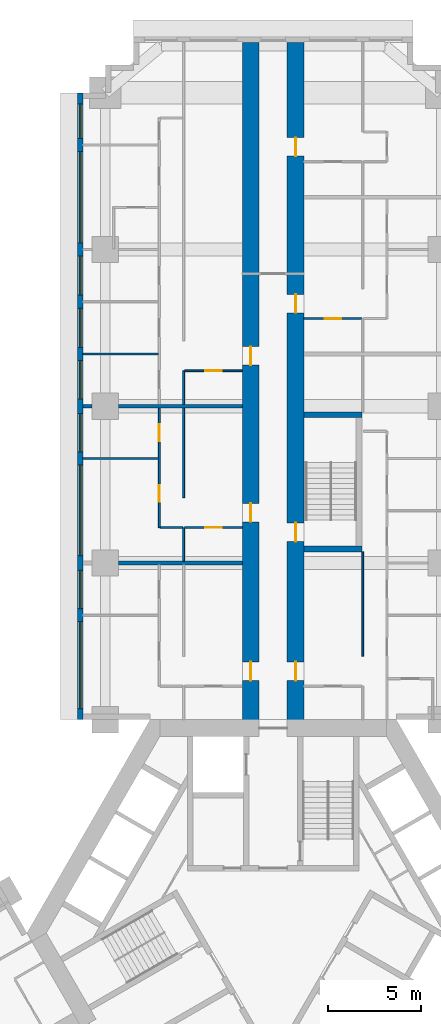
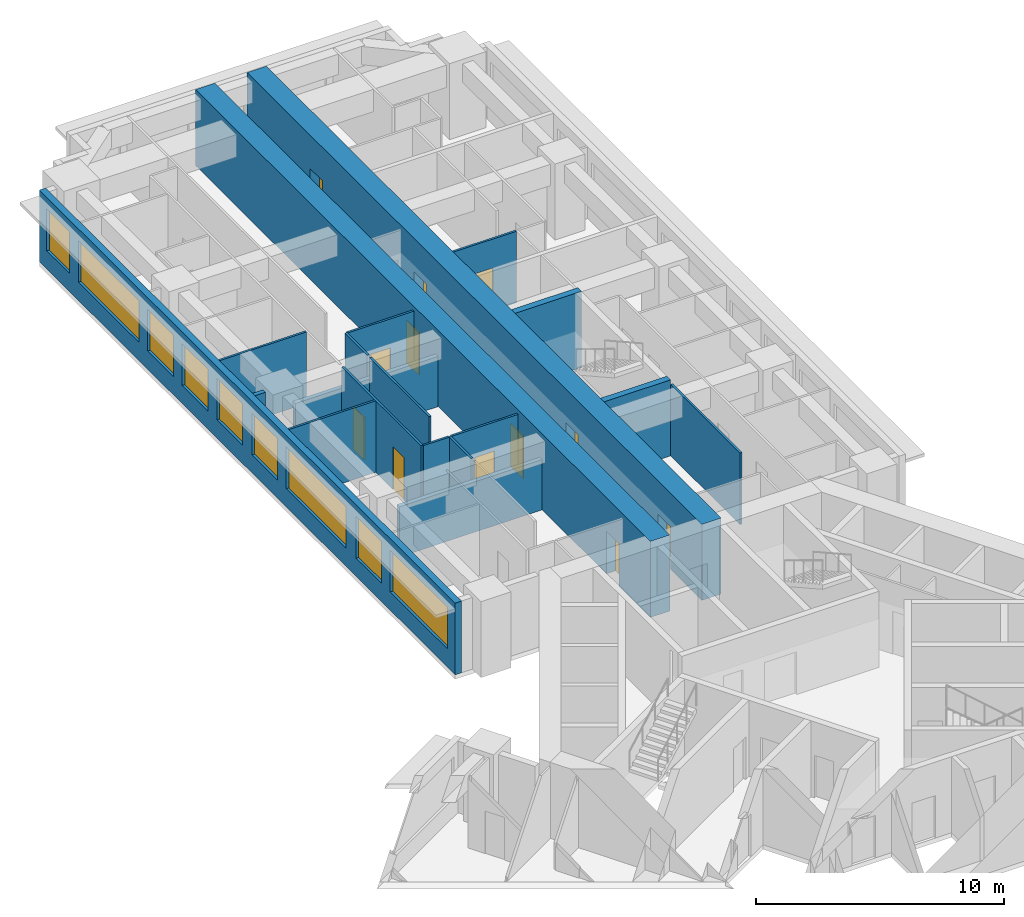
# One storey, part 9 of 15: 19 walls, 12 doors, 9 windows, 21 openings.
"""IFC4 building model written with IfcOpenShell, lengths in metres."""

from ifc_helpers import new_model, si_unit, direction, frame, frame_2d, origin, place, context, subcontext, project, spatial, rectangle, extrude, material, layer, layer_set, type_object, element, fill, save


model = new_model("IFC4")

# Units and contexts
model_context = context("Model", 3, precision=1e-05, world=origin(), true_north=direction((0.0, 1.0)))
body_context = subcontext(model_context, "Body", "Model", "MODEL_VIEW")
ifc_project = project(units=[si_unit("LENGTHUNIT", "METRE"), si_unit("AREAUNIT", "SQUARE_METRE"), si_unit("VOLUMEUNIT", "CUBIC_METRE"), si_unit("PLANEANGLEUNIT", "RADIAN"), si_unit("MASSUNIT", "GRAM", prefix="KILO")], contexts=[model_context])

# Site, building, storey
site_placement = place(None, origin())
site = spatial("IfcSite", under=ifc_project, at=site_placement, CompositionType="ELEMENT")
building_placement = place(site_placement, origin())
building = spatial("IfcBuilding", under=site, at=building_placement, Name="Impinga Residences", CompositionType="ELEMENT")
storey_placement = place(building_placement, frame((0.0, 0.0, 86.0)))
storey = spatial("IfcBuildingStorey", under=building, at=storey_placement, Name="L21", CompositionType="ELEMENT", Elevation=86.0)

# Wall, openings, doors
ifc_material_1 = material(Name="Concrete C70/85", Category="concrete")
ifc_layer_1 = layer(ifc_material_1, 0.89990234375)
ifc_layer_set_1 = layer_set([ifc_layer_1], Name="Concrete C70/85")
wall_type_1 = type_object("IfcWallType", Name="BW1 corridor buttress wall, L05 to L22 900", PredefinedType="SHEAR", material=ifc_layer_set_1)
wall_1_placement = place(storey_placement, frame((-1.199951171875, 10.9814453125, 0.0), z_axis=(0.0, 0.0, 1.0), x_axis=(0.0, 1.0, 0.0)))
wall_1 = element("IfcWall", 1, at=wall_1_placement, inside=storey, type_object=wall_type_1, Name="Corridor wall BW1 NC L21", PredefinedType="SHEAR", context=body_context, shape_type="SweptSolid", body=[
    extrude(rectangle(XDim=36.75, YDim=0.89990234375, at=frame_2d((18.375, 0.0))), origin(), (0.0, 0.0, 1.0), 3.75),
])
opening_1_placement = place(wall_1_placement, frame((2.550048828125, 0.0, 0.0)))
opening_1 = element("IfcOpeningElement", 2, at=opening_1_placement, cuts=wall_1, Name="Opening D1", PredefinedType="OPENING", context=body_context, shape_type="SweptSolid", body=[
    extrude(rectangle(XDim=1.0, YDim=2.10009765625, at=frame_2d((0.5, 1.050048828125))), frame((0.0, 0.4599609375, 0.0), z_axis=(0.0, -1.0, 0.0), x_axis=(1.0, 0.0, 0.0)), (0.0, 0.0, 1.0), 0.919921875),
])
opening_2_placement = place(wall_1_placement, frame((11.050048828125, 0.0, 0.0)))
opening_2 = element("IfcOpeningElement", 3, at=opening_2_placement, cuts=wall_1, Name="Opening D1", PredefinedType="OPENING", context=body_context, shape_type="SweptSolid", body=[
    extrude(rectangle(XDim=1.0, YDim=2.10009765625, at=frame_2d((0.5, 1.050048828125))), frame((0.0, 0.4599609375, 0.0), z_axis=(0.0, -1.0, 0.0), x_axis=(1.0, 0.0, 0.0)), (0.0, 0.0, 1.0), 0.919921875),
])
opening_3_placement = place(wall_1_placement, frame((19.449951171875, 0.0, 0.0)))
opening_3 = element("IfcOpeningElement", 4, at=opening_3_placement, cuts=wall_1, Name="Opening D1", PredefinedType="OPENING", context=body_context, shape_type="SweptSolid", body=[
    extrude(rectangle(XDim=1.0, YDim=2.10009765625, at=frame_2d((0.5, 1.050048828125))), frame((0.0, 0.4599609375, 0.0), z_axis=(0.0, -1.0, 0.0), x_axis=(1.0, 0.0, 0.0)), (0.0, 0.0, 1.0), 0.919921875),
])
ifc_material_2 = material(Name="Timber door set", Category="wood")
door_type_1 = type_object("IfcDoorType", Name="D1 apartment entrance door 1000x2100", OperationType="SINGLE_SWING_LEFT", PredefinedType="DOOR", material=ifc_material_2)
door_1_placement = place(opening_1_placement, origin())
door_1 = element("IfcDoor", 5, at=door_1_placement, inside=storey, type_object=door_type_1, Name="Apartment L21-NA1 entrance", OperationType="SINGLE_SWING_LEFT", OverallHeight=2.10009765625, OverallWidth=1.0, PredefinedType="DOOR", context=body_context, shape_type="SweptSolid", body=[
    extrude(rectangle(XDim=1.0, YDim=2.10009765625, at=frame_2d((0.5, 1.050048828125))), frame((0.0, 0.02490234375, 0.0), z_axis=(0.0, -1.0, 0.0), x_axis=(1.0, 0.0, 0.0)), (0.0, 0.0, 1.0), 0.050048828125),
])
fill(opening_1, door_1)
door_2_placement = place(opening_2_placement, origin())
door_2 = element("IfcDoor", 6, at=door_2_placement, inside=storey, type_object=door_type_1, Name="Apartment L21-NA2 entrance", OperationType="SINGLE_SWING_LEFT", OverallHeight=2.10009765625, OverallWidth=1.0, PredefinedType="DOOR", context=body_context, shape_type="SweptSolid", body=[
    extrude(rectangle(XDim=1.0, YDim=2.10009765625, at=frame_2d((0.5, 1.050048828125))), frame((0.0, 0.02490234375, 0.0), z_axis=(0.0, -1.0, 0.0), x_axis=(1.0, 0.0, 0.0)), (0.0, 0.0, 1.0), 0.050048828125),
])
fill(opening_2, door_2)
door_3_placement = place(opening_3_placement, origin())
door_3 = element("IfcDoor", 7, at=door_3_placement, inside=storey, type_object=door_type_1, Name="Apartment L21-NA3 entrance", OperationType="SINGLE_SWING_RIGHT", OverallHeight=2.10009765625, OverallWidth=1.0, PredefinedType="DOOR", context=body_context, shape_type="SweptSolid", body=[
    extrude(rectangle(XDim=1.0, YDim=2.10009765625, at=frame_2d((0.5, 1.050048828125))), frame((0.0, 0.02490234375, 0.0), z_axis=(0.0, -1.0, 0.0), x_axis=(1.0, 0.0, 0.0)), (0.0, 0.0, 1.0), 0.050048828125),
])
fill(opening_3, door_3)

wall_2_placement = place(storey_placement, frame((1.199951171875, 10.9814453125, 0.0), z_axis=(0.0, 0.0, 1.0), x_axis=(0.0, 1.0, 0.0)))
wall_2 = element("IfcWall", 8, at=wall_2_placement, inside=storey, type_object=wall_type_1, Name="Corridor wall BW1 ND L21", PredefinedType="SHEAR", context=body_context, shape_type="SweptSolid", body=[
    extrude(rectangle(XDim=36.75, YDim=0.89990234375, at=frame_2d((18.375, 0.0))), origin(), (0.0, 0.0, 1.0), 3.75),
])
opening_4_placement = place(wall_2_placement, frame((10.0, 0.0, 0.0)))
opening_4 = element("IfcOpeningElement", 9, at=opening_4_placement, cuts=wall_2, Name="Opening D5", PredefinedType="OPENING", context=body_context, shape_type="SweptSolid", body=[
    extrude(rectangle(XDim=1.0, YDim=2.10009765625, at=frame_2d((0.5, 1.050048828125))), frame((0.0, 0.4599609375, 0.0), z_axis=(0.0, -1.0, 0.0), x_axis=(1.0, 0.0, 0.0)), (0.0, 0.0, 1.0), 0.919921875),
])
opening_5_placement = place(wall_2_placement, frame((2.550048828125, 0.0, 0.0)))
opening_5 = element("IfcOpeningElement", 10, at=opening_5_placement, cuts=wall_2, Name="Opening D1", PredefinedType="OPENING", context=body_context, shape_type="SweptSolid", body=[
    extrude(rectangle(XDim=1.0, YDim=2.10009765625, at=frame_2d((0.5, 1.050048828125))), frame((0.0, 0.4599609375, 0.0), z_axis=(0.0, -1.0, 0.0), x_axis=(1.0, 0.0, 0.0)), (0.0, 0.0, 1.0), 0.919921875),
])
opening_6_placement = place(wall_2_placement, frame((22.25, 0.0, 0.0)))
opening_6 = element("IfcOpeningElement", 11, at=opening_6_placement, cuts=wall_2, Name="Opening D1", PredefinedType="OPENING", context=body_context, shape_type="SweptSolid", body=[
    extrude(rectangle(XDim=1.0, YDim=2.10009765625, at=frame_2d((0.5, 1.050048828125))), frame((0.0, 0.4599609375, 0.0), z_axis=(0.0, -1.0, 0.0), x_axis=(1.0, 0.0, 0.0)), (0.0, 0.0, 1.0), 0.919921875),
])
opening_7_placement = place(wall_2_placement, frame((30.64990234375, 0.0, 0.0)))
opening_7 = element("IfcOpeningElement", 12, at=opening_7_placement, cuts=wall_2, Name="Opening D1", PredefinedType="OPENING", context=body_context, shape_type="SweptSolid", body=[
    extrude(rectangle(XDim=1.0, YDim=2.10009765625, at=frame_2d((0.5, 1.050048828125))), frame((0.0, 0.4599609375, 0.0), z_axis=(0.0, -1.0, 0.0), x_axis=(1.0, 0.0, 0.0)), (0.0, 0.0, 1.0), 0.919921875),
])
door_4_placement = place(opening_5_placement, origin())
door_4 = element("IfcDoor", 13, at=door_4_placement, inside=storey, type_object=door_type_1, Name="Apartment L21-NF1 entrance", OperationType="SINGLE_SWING_LEFT", OverallHeight=2.10009765625, OverallWidth=1.0, PredefinedType="DOOR", context=body_context, shape_type="SweptSolid", body=[
    extrude(rectangle(XDim=1.0, YDim=2.10009765625, at=frame_2d((0.5, 1.050048828125))), frame((0.0, 0.02490234375, 0.0), z_axis=(0.0, -1.0, 0.0), x_axis=(1.0, 0.0, 0.0)), (0.0, 0.0, 1.0), 0.050048828125),
])
fill(opening_5, door_4)
door_5_placement = place(opening_6_placement, origin())
door_5 = element("IfcDoor", 14, at=door_5_placement, inside=storey, type_object=door_type_1, Name="Apartment L21-NF2 entrance", OperationType="SINGLE_SWING_RIGHT", OverallHeight=2.10009765625, OverallWidth=1.0, PredefinedType="DOOR", context=body_context, shape_type="SweptSolid", body=[
    extrude(rectangle(XDim=1.0, YDim=2.10009765625, at=frame_2d((0.5, 1.050048828125))), frame((0.0, 0.02490234375, 0.0), z_axis=(0.0, -1.0, 0.0), x_axis=(1.0, 0.0, 0.0)), (0.0, 0.0, 1.0), 0.050048828125),
])
fill(opening_6, door_5)
door_6_placement = place(opening_7_placement, origin())
door_6 = element("IfcDoor", 15, at=door_6_placement, inside=storey, type_object=door_type_1, Name="Apartment L21-NF3 entrance", OperationType="SINGLE_SWING_RIGHT", OverallHeight=2.10009765625, OverallWidth=1.0, PredefinedType="DOOR", context=body_context, shape_type="SweptSolid", body=[
    extrude(rectangle(XDim=1.0, YDim=2.10009765625, at=frame_2d((0.5, 1.050048828125))), frame((0.0, 0.02490234375, 0.0), z_axis=(0.0, -1.0, 0.0), x_axis=(1.0, 0.0, 0.0)), (0.0, 0.0, 1.0), 0.050048828125),
])
fill(opening_7, door_6)
door_type_2 = type_object("IfcDoorType", Name="D5 stair door 1000x2100", OperationType="SINGLE_SWING_LEFT", PredefinedType="DOOR", material=ifc_material_2)
door_7_placement = place(opening_4_placement, origin())
door_7 = element("IfcDoor", 16, at=door_7_placement, inside=storey, type_object=door_type_2, Name="Wing stair door N", OperationType="SINGLE_SWING_LEFT", OverallHeight=2.10009765625, OverallWidth=1.0, PredefinedType="DOOR", context=body_context, shape_type="SweptSolid", body=[
    extrude(rectangle(XDim=1.0, YDim=2.10009765625, at=frame_2d((0.5, 1.050048828125))), frame((0.0, 0.02490234375, 0.0), z_axis=(0.0, -1.0, 0.0), x_axis=(1.0, 0.0, 0.0)), (0.0, 0.0, 1.0), 0.050048828125),
])
fill(opening_4, door_7)

# Wall, openings, windows
ifc_material_3 = material(Name="Terracotta rainscreen on blockwork", Category="masonry")
ifc_layer_2 = layer(ifc_material_3, 0.300048828125)
ifc_layer_set_2 = layer_set([ifc_layer_2], Name="EW1 external wall, terracotta rainscreen on blockwork 300")
wall_type_2 = type_object("IfcWallType", Name="EW1 external wall, terracotta rainscreen on blockwork 300", PredefinedType="SOLIDWALL", material=ifc_layer_set_2)
wall_3_placement = place(storey_placement, frame((-10.35009765625, 11.431640625, 0.0), z_axis=(0.0, 0.0, 1.0), x_axis=(0.0, 1.0, 0.0)))
wall_3 = element("IfcWall", 17, at=wall_3_placement, inside=storey, type_object=wall_type_2, Name="External wall EW1 L21", PredefinedType="SOLIDWALL", context=body_context, shape_type="SweptSolid", body=[
    extrude(rectangle(XDim=33.599853515625, YDim=0.300048828125, at=frame_2d((16.7998046875, 0.0))), origin(), (0.0, 0.0, 1.0), 3.530029296875),
])
opening_8_placement = place(wall_3_placement, frame((0.60009765625, 0.0, 0.89990234375)))
opening_8 = element("IfcOpeningElement", 18, at=opening_8_placement, cuts=wall_3, Name="Opening W10", PredefinedType="OPENING", context=body_context, shape_type="SweptSolid", body=[
    extrude(rectangle(XDim=4.64990234375, YDim=2.050048828125, at=frame_2d((2.324951171875, 1.02490234375))), frame((0.0, 0.159912109375, 0.0), z_axis=(0.0, -1.0, 0.0), x_axis=(1.0, 0.0, 0.0)), (0.0, 0.0, 1.0), 0.320068359375),
])
opening_9_placement = place(wall_3_placement, frame((5.949951171875, 0.0, 0.89990234375)))
opening_9 = element("IfcOpeningElement", 19, at=opening_9_placement, cuts=wall_3, Name="Opening W14", PredefinedType="OPENING", context=body_context, shape_type="SweptSolid", body=[
    extrude(rectangle(XDim=2.050048828125, YDim=2.050048828125, at=frame_2d((1.02490234375, 1.02490234375))), frame((0.0, 0.159912109375, 0.0), z_axis=(0.0, -1.0, 0.0), x_axis=(1.0, 0.0, 0.0)), (0.0, 0.0, 1.0), 0.320068359375),
])
opening_10_placement = place(wall_3_placement, frame((8.800048828125, 0.0, 0.89990234375)))
opening_10 = element("IfcOpeningElement", 20, at=opening_10_placement, cuts=wall_3, Name="Opening W6", PredefinedType="OPENING", context=body_context, shape_type="SweptSolid", body=[
    extrude(rectangle(XDim=4.85009765625, YDim=2.050048828125, at=frame_2d((2.425048828125, 1.02490234375))), frame((0.0, 0.159912109375, 0.0), z_axis=(0.0, -1.0, 0.0), x_axis=(1.0, 0.0, 0.0)), (0.0, 0.0, 1.0), 0.320068359375),
])
opening_11_placement = place(wall_3_placement, frame((14.35009765625, 0.0, 0.89990234375)))
opening_11 = element("IfcOpeningElement", 21, at=opening_11_placement, cuts=wall_3, Name="Opening W14", PredefinedType="OPENING", context=body_context, shape_type="SweptSolid", body=[
    extrude(rectangle(XDim=2.050048828125, YDim=2.050048828125, at=frame_2d((1.02490234375, 1.02490234375))), frame((0.0, 0.159912109375, 0.0), z_axis=(0.0, -1.0, 0.0), x_axis=(1.0, 0.0, 0.0)), (0.0, 0.0, 1.0), 0.320068359375),
])
opening_12_placement = place(wall_3_placement, frame((17.199951171875, 0.0, 0.89990234375)))
opening_12 = element("IfcOpeningElement", 22, at=opening_12_placement, cuts=wall_3, Name="Opening W14", PredefinedType="OPENING", context=body_context, shape_type="SweptSolid", body=[
    extrude(rectangle(XDim=2.050048828125, YDim=2.050048828125, at=frame_2d((1.02490234375, 1.02490234375))), frame((0.0, 0.159912109375, 0.0), z_axis=(0.0, -1.0, 0.0), x_axis=(1.0, 0.0, 0.0)), (0.0, 0.0, 1.0), 0.320068359375),
])
opening_13_placement = place(wall_3_placement, frame((19.949951171875, 0.0, 0.89990234375)))
opening_13 = element("IfcOpeningElement", 23, at=opening_13_placement, cuts=wall_3, Name="Opening W9", PredefinedType="OPENING", context=body_context, shape_type="SweptSolid", body=[
    extrude(rectangle(XDim=2.10009765625, YDim=2.050048828125, at=frame_2d((1.050048828125, 1.02490234375))), frame((0.0, 0.159912109375, 0.0), z_axis=(0.0, -1.0, 0.0), x_axis=(1.0, 0.0, 0.0)), (0.0, 0.0, 1.0), 0.320068359375),
])
opening_14_placement = place(wall_3_placement, frame((22.75, 0.0, 0.89990234375)))
opening_14 = element("IfcOpeningElement", 24, at=opening_14_placement, cuts=wall_3, Name="Opening W9", PredefinedType="OPENING", context=body_context, shape_type="SweptSolid", body=[
    extrude(rectangle(XDim=2.10009765625, YDim=2.050048828125, at=frame_2d((1.050048828125, 1.02490234375))), frame((0.0, 0.159912109375, 0.0), z_axis=(0.0, -1.0, 0.0), x_axis=(1.0, 0.0, 0.0)), (0.0, 0.0, 1.0), 0.320068359375),
])
opening_15_placement = place(wall_3_placement, frame((25.550048828125, 0.0, 0.89990234375)))
opening_15 = element("IfcOpeningElement", 25, at=opening_15_placement, cuts=wall_3, Name="Opening W16", PredefinedType="OPENING", context=body_context, shape_type="SweptSolid", body=[
    extrude(rectangle(XDim=4.89990234375, YDim=2.050048828125, at=frame_2d((2.449951171875, 1.02490234375))), frame((0.0, 0.159912109375, 0.0), z_axis=(0.0, -1.0, 0.0), x_axis=(1.0, 0.0, 0.0)), (0.0, 0.0, 1.0), 0.320068359375),
])
opening_16_placement = place(wall_3_placement, frame((31.14990234375, 0.0, 0.89990234375)))
opening_16 = element("IfcOpeningElement", 26, at=opening_16_placement, cuts=wall_3, Name="Opening W15", PredefinedType="OPENING", context=body_context, shape_type="SweptSolid", body=[
    extrude(rectangle(XDim=1.85009765625, YDim=2.050048828125, at=frame_2d((0.925048828125, 1.02490234375))), frame((0.0, 0.159912109375, 0.0), z_axis=(0.0, -1.0, 0.0), x_axis=(1.0, 0.0, 0.0)), (0.0, 0.0, 1.0), 0.320068359375),
])
ifc_material_4 = material(Name="Aluminium window, clear double glazing", Category="aluminium")
window_type_1 = type_object("IfcWindowType", Name="W10 ribbon window 4650x2050", PartitioningType="SINGLE_PANEL", PredefinedType="WINDOW", material=ifc_material_4)
window_1_placement = place(opening_8_placement, origin())
window_1 = element("IfcWindow", 27, at=window_1_placement, inside=storey, type_object=window_type_1, Name="Window L21", OverallHeight=2.050048828125, OverallWidth=4.64990234375, PartitioningType="SINGLE_PANEL", PredefinedType="WINDOW", context=body_context, shape_type="SweptSolid", body=[
    extrude(rectangle(XDim=4.64990234375, YDim=2.050048828125, at=frame_2d((2.324951171875, 1.02490234375))), frame((0.0, 0.030029296875, 0.0), z_axis=(0.0, -1.0, 0.0), x_axis=(1.0, 0.0, 0.0)), (0.0, 0.0, 1.0), 0.06005859375),
])
fill(opening_8, window_1)
window_type_2 = type_object("IfcWindowType", Name="W14 ribbon window 2050x2050", PartitioningType="SINGLE_PANEL", PredefinedType="WINDOW", material=ifc_material_4)
window_2_placement = place(opening_9_placement, origin())
window_2 = element("IfcWindow", 28, at=window_2_placement, inside=storey, type_object=window_type_2, Name="Window L21", OverallHeight=2.050048828125, OverallWidth=2.050048828125, PartitioningType="SINGLE_PANEL", PredefinedType="WINDOW", context=body_context, shape_type="SweptSolid", body=[
    extrude(rectangle(XDim=2.050048828125, YDim=2.050048828125, at=frame_2d((1.02490234375, 1.02490234375))), frame((0.0, 0.030029296875, 0.0), z_axis=(0.0, -1.0, 0.0), x_axis=(1.0, 0.0, 0.0)), (0.0, 0.0, 1.0), 0.06005859375),
])
fill(opening_9, window_2)
window_3_placement = place(opening_11_placement, origin())
window_3 = element("IfcWindow", 29, at=window_3_placement, inside=storey, type_object=window_type_2, Name="Window L21", OverallHeight=2.050048828125, OverallWidth=2.050048828125, PartitioningType="SINGLE_PANEL", PredefinedType="WINDOW", context=body_context, shape_type="SweptSolid", body=[
    extrude(rectangle(XDim=2.050048828125, YDim=2.050048828125, at=frame_2d((1.02490234375, 1.02490234375))), frame((0.0, 0.030029296875, 0.0), z_axis=(0.0, -1.0, 0.0), x_axis=(1.0, 0.0, 0.0)), (0.0, 0.0, 1.0), 0.06005859375),
])
fill(opening_11, window_3)
window_4_placement = place(opening_12_placement, origin())
window_4 = element("IfcWindow", 30, at=window_4_placement, inside=storey, type_object=window_type_2, Name="Window L21", OverallHeight=2.050048828125, OverallWidth=2.050048828125, PartitioningType="SINGLE_PANEL", PredefinedType="WINDOW", context=body_context, shape_type="SweptSolid", body=[
    extrude(rectangle(XDim=2.050048828125, YDim=2.050048828125, at=frame_2d((1.02490234375, 1.02490234375))), frame((0.0, 0.030029296875, 0.0), z_axis=(0.0, -1.0, 0.0), x_axis=(1.0, 0.0, 0.0)), (0.0, 0.0, 1.0), 0.06005859375),
])
fill(opening_12, window_4)
window_type_3 = type_object("IfcWindowType", Name="W15 ribbon window 1850x2050", PartitioningType="SINGLE_PANEL", PredefinedType="WINDOW", material=ifc_material_4)
window_5_placement = place(opening_16_placement, origin())
window_5 = element("IfcWindow", 31, at=window_5_placement, inside=storey, type_object=window_type_3, Name="Window L21", OverallHeight=2.050048828125, OverallWidth=1.85009765625, PartitioningType="SINGLE_PANEL", PredefinedType="WINDOW", context=body_context, shape_type="SweptSolid", body=[
    extrude(rectangle(XDim=1.85009765625, YDim=2.050048828125, at=frame_2d((0.925048828125, 1.02490234375))), frame((0.0, 0.030029296875, 0.0), z_axis=(0.0, -1.0, 0.0), x_axis=(1.0, 0.0, 0.0)), (0.0, 0.0, 1.0), 0.06005859375),
])
fill(opening_16, window_5)
window_type_4 = type_object("IfcWindowType", Name="W16 ribbon window 4900x2050", PartitioningType="SINGLE_PANEL", PredefinedType="WINDOW", material=ifc_material_4)
window_6_placement = place(opening_15_placement, origin())
window_6 = element("IfcWindow", 32, at=window_6_placement, inside=storey, type_object=window_type_4, Name="Window L21", OverallHeight=2.050048828125, OverallWidth=4.89990234375, PartitioningType="SINGLE_PANEL", PredefinedType="WINDOW", context=body_context, shape_type="SweptSolid", body=[
    extrude(rectangle(XDim=4.89990234375, YDim=2.050048828125, at=frame_2d((2.449951171875, 1.02490234375))), frame((0.0, 0.030029296875, 0.0), z_axis=(0.0, -1.0, 0.0), x_axis=(1.0, 0.0, 0.0)), (0.0, 0.0, 1.0), 0.06005859375),
])
fill(opening_15, window_6)
window_type_5 = type_object("IfcWindowType", Name="W6 ribbon window 4850x2050", PartitioningType="SINGLE_PANEL", PredefinedType="WINDOW", material=ifc_material_4)
window_7_placement = place(opening_10_placement, origin())
window_7 = element("IfcWindow", 33, at=window_7_placement, inside=storey, type_object=window_type_5, Name="Window L21", OverallHeight=2.050048828125, OverallWidth=4.85009765625, PartitioningType="SINGLE_PANEL", PredefinedType="WINDOW", context=body_context, shape_type="SweptSolid", body=[
    extrude(rectangle(XDim=4.85009765625, YDim=2.050048828125, at=frame_2d((2.425048828125, 1.02490234375))), frame((0.0, 0.030029296875, 0.0), z_axis=(0.0, -1.0, 0.0), x_axis=(1.0, 0.0, 0.0)), (0.0, 0.0, 1.0), 0.06005859375),
])
fill(opening_10, window_7)
window_type_6 = type_object("IfcWindowType", Name="W9 ribbon window 2100x2050", PartitioningType="SINGLE_PANEL", PredefinedType="WINDOW", material=ifc_material_4)
window_8_placement = place(opening_13_placement, origin())
window_8 = element("IfcWindow", 34, at=window_8_placement, inside=storey, type_object=window_type_6, Name="Window L21", OverallHeight=2.050048828125, OverallWidth=2.10009765625, PartitioningType="SINGLE_PANEL", PredefinedType="WINDOW", context=body_context, shape_type="SweptSolid", body=[
    extrude(rectangle(XDim=2.10009765625, YDim=2.050048828125, at=frame_2d((1.050048828125, 1.02490234375))), frame((0.0, 0.030029296875, 0.0), z_axis=(0.0, -1.0, 0.0), x_axis=(1.0, 0.0, 0.0)), (0.0, 0.0, 1.0), 0.06005859375),
])
fill(opening_13, window_8)
window_9_placement = place(opening_14_placement, origin())
window_9 = element("IfcWindow", 35, at=window_9_placement, inside=storey, type_object=window_type_6, Name="Window L21", OverallHeight=2.050048828125, OverallWidth=2.10009765625, PartitioningType="SINGLE_PANEL", PredefinedType="WINDOW", context=body_context, shape_type="SweptSolid", body=[
    extrude(rectangle(XDim=2.10009765625, YDim=2.050048828125, at=frame_2d((1.050048828125, 1.02490234375))), frame((0.0, 0.030029296875, 0.0), z_axis=(0.0, -1.0, 0.0), x_axis=(1.0, 0.0, 0.0)), (0.0, 0.0, 1.0), 0.06005859375),
])
fill(opening_14, window_9)

# Walls
ifc_material_5 = material(Name="Gypsum board on steel studs", Category="steel")
ifc_layer_3 = layer(ifc_material_5, 0.10009765625)
ifc_layer_set_3 = layer_set([ifc_layer_3], Name="Gypsum board on steel studs")
wall_type_3 = type_object("IfcWallType", Name="IP1 partition 100", PredefinedType="PARTITIONING", material=ifc_layer_set_3)
wall_4_placement = place(storey_placement, frame((-4.800048828125, 19.931640625, 0.0), z_axis=(0.0, 0.0, 1.0), x_axis=(0.0, 1.0, 0.0)))
element("IfcWall", 36, at=wall_4_placement, inside=storey, type_object=wall_type_3, Name="Partition L21-NA2:DIV0", PredefinedType="PARTITIONING", context=body_context, shape_type="SweptSolid", body=[
    extrude(rectangle(XDim=1.7998046875, YDim=0.10009765625, at=frame_2d((0.89990234375, 0.0))), origin(), (0.0, 0.0, 1.0), 3.530029296875),
])
wall_5_placement = place(storey_placement, frame((-4.800048828125, 23.33154296875, 0.0), z_axis=(0.0, 0.0, 1.0), x_axis=(0.0, 1.0, 0.0)))
element("IfcWall", 37, at=wall_5_placement, inside=storey, type_object=wall_type_3, Name="Partition L21-NA2:DIV1", PredefinedType="PARTITIONING", context=body_context, shape_type="SweptSolid", body=[
    extrude(rectangle(XDim=4.800048828125, YDim=0.10009765625, at=frame_2d((2.39990234375, 0.0))), origin(), (0.0, 0.0, 1.0), 3.530029296875),
])

# Wall, openings, doors
wall_6_placement = place(storey_placement, frame((-6.10009765625, 21.7314453125, 0.0), z_axis=(0.0, 0.0, 1.0), x_axis=(0.0, 1.0, 0.0)))
wall_6 = element("IfcWall", 38, at=wall_6_placement, inside=storey, type_object=wall_type_3, Name="Partition L21-NA2:STRIP", PredefinedType="PARTITIONING", context=body_context, shape_type="SweptSolid", body=[
    extrude(rectangle(XDim=6.400146484375, YDim=0.10009765625, at=frame_2d((3.2001953125, 0.0))), origin(), (0.0, 0.0, 1.0), 3.530029296875),
])
opening_17_placement = place(wall_6_placement, frame((1.375, 0.0, 0.0)))
opening_17 = element("IfcOpeningElement", 39, at=opening_17_placement, cuts=wall_6, Name="Opening D2", PredefinedType="OPENING", context=body_context, shape_type="SweptSolid", body=[
    extrude(rectangle(XDim=0.89990234375, YDim=2.10009765625, at=frame_2d((0.449951171875, 1.050048828125))), frame((0.0, 0.06005859375, 0.0), z_axis=(0.0, -1.0, 0.0), x_axis=(1.0, 0.0, 0.0)), (0.0, 0.0, 1.0), 0.1201171875),
])
opening_18_placement = place(wall_6_placement, frame((4.625, 0.0, 0.0)))
opening_18 = element("IfcOpeningElement", 40, at=opening_18_placement, cuts=wall_6, Name="Opening D2", PredefinedType="OPENING", context=body_context, shape_type="SweptSolid", body=[
    extrude(rectangle(XDim=0.89990234375, YDim=2.10009765625, at=frame_2d((0.449951171875, 1.050048828125))), frame((0.0, 0.06005859375, 0.0), z_axis=(0.0, -1.0, 0.0), x_axis=(1.0, 0.0, 0.0)), (0.0, 0.0, 1.0), 0.1201171875),
])
door_type_3 = type_object("IfcDoorType", Name="D2 internal door 900x2100", OperationType="SINGLE_SWING_LEFT", PredefinedType="DOOR", material=ifc_material_2)
door_8_placement = place(opening_17_placement, origin())
door_8 = element("IfcDoor", 41, at=door_8_placement, inside=storey, type_object=door_type_3, Name="Apartment L21-NA2 room door", OperationType="SINGLE_SWING_LEFT", OverallHeight=2.10009765625, OverallWidth=0.89990234375, PredefinedType="DOOR", context=body_context, shape_type="SweptSolid", body=[
    extrude(rectangle(XDim=0.89990234375, YDim=2.10009765625, at=frame_2d((0.449951171875, 1.050048828125))), frame((0.0, 0.02490234375, 0.0), z_axis=(0.0, -1.0, 0.0), x_axis=(1.0, 0.0, 0.0)), (0.0, 0.0, 1.0), 0.050048828125),
])
fill(opening_17, door_8)
door_9_placement = place(opening_18_placement, origin())
door_9 = element("IfcDoor", 42, at=door_9_placement, inside=storey, type_object=door_type_3, Name="Apartment L21-NA2 room door", OperationType="SINGLE_SWING_RIGHT", OverallHeight=2.10009765625, OverallWidth=0.89990234375, PredefinedType="DOOR", context=body_context, shape_type="SweptSolid", body=[
    extrude(rectangle(XDim=0.89990234375, YDim=2.10009765625, at=frame_2d((0.449951171875, 1.050048828125))), frame((0.0, 0.02490234375, 0.0), z_axis=(0.0, -1.0, 0.0), x_axis=(1.0, 0.0, 0.0)), (0.0, 0.0, 1.0), 0.050048828125),
])
fill(opening_18, door_9)

# Wall
wall_7_placement = place(storey_placement, frame((-4.85009765625, 21.7314453125, 0.0), z_axis=(0.0, 0.0, 1.0), x_axis=(-1.0, 0.0, 0.0)))
element("IfcWall", 43, at=wall_7_placement, inside=storey, type_object=wall_type_3, Name="Partition L21-NA2:SE0", PredefinedType="PARTITIONING", context=body_context, shape_type="SweptSolid", body=[
    extrude(rectangle(XDim=1.199951171875, YDim=0.10009765625, at=frame_2d((0.60009765625, 0.0))), origin(), (0.0, 0.0, 1.0), 3.530029296875),
])

# Wall, opening, door
wall_8_placement = place(storey_placement, frame((-1.64990234375, 21.7314453125, 0.0), z_axis=(0.0, 0.0, 1.0), x_axis=(-1.0, 0.0, 0.0)))
wall_8 = element("IfcWall", 44, at=wall_8_placement, inside=storey, type_object=wall_type_3, Name="Partition L21-NA2:IB1", PredefinedType="PARTITIONING", context=body_context, shape_type="SweptSolid", body=[
    extrude(rectangle(XDim=3.10009765625, YDim=0.10009765625, at=frame_2d((1.550048828125, 0.0))), origin(), (0.0, 0.0, 1.0), 3.530029296875),
])
opening_19_placement = place(wall_8_placement, frame((1.10009765625, 0.0, 0.0)))
opening_19 = element("IfcOpeningElement", 45, at=opening_19_placement, cuts=wall_8, Name="Opening D2", PredefinedType="OPENING", context=body_context, shape_type="SweptSolid", body=[
    extrude(rectangle(XDim=0.89990234375, YDim=2.10009765625, at=frame_2d((0.449951171875, 1.050048828125))), frame((0.0, 0.06005859375, 0.0), z_axis=(0.0, -1.0, 0.0), x_axis=(1.0, 0.0, 0.0)), (0.0, 0.0, 1.0), 0.1201171875),
])
door_10_placement = place(opening_19_placement, origin())
door_10 = element("IfcDoor", 46, at=door_10_placement, inside=storey, type_object=door_type_3, Name="Apartment L21-NA2 bathroom door", OperationType="SINGLE_SWING_LEFT", OverallHeight=2.10009765625, OverallWidth=0.89990234375, PredefinedType="DOOR", context=body_context, shape_type="SweptSolid", body=[
    extrude(rectangle(XDim=0.89990234375, YDim=2.10009765625, at=frame_2d((0.449951171875, 1.050048828125))), frame((0.0, 0.02490234375, 0.0), z_axis=(0.0, -1.0, 0.0), x_axis=(1.0, 0.0, 0.0)), (0.0, 0.0, 1.0), 0.050048828125),
])
fill(opening_19, door_10)

# Walls
wall_9_placement = place(storey_placement, frame((-6.14990234375, 25.431640625, 0.0), z_axis=(0.0, 0.0, 1.0), x_axis=(-1.0, 0.0, 0.0)))
element("IfcWall", 47, at=wall_9_placement, inside=storey, type_object=wall_type_3, Name="Partition L21-NA2:OB1", PredefinedType="PARTITIONING", context=body_context, shape_type="SweptSolid", body=[
    extrude(rectangle(XDim=4.050048828125, YDim=0.10009765625, at=frame_2d((2.02490234375, 0.0))), origin(), (0.0, 0.0, 1.0), 3.530029296875),
])
wall_10_placement = place(storey_placement, frame((-4.800048828125, 28.33154296875, 0.0), z_axis=(0.0, 0.0, 1.0), x_axis=(0.0, 1.0, 0.0)))
element("IfcWall", 48, at=wall_10_placement, inside=storey, type_object=wall_type_3, Name="Partition L21-NA3:DIV0", PredefinedType="PARTITIONING", context=body_context, shape_type="SweptSolid", body=[
    extrude(rectangle(XDim=1.800048828125, YDim=0.10009765625, at=frame_2d((0.89990234375, 0.0))), origin(), (0.0, 0.0, 1.0), 3.530029296875),
])

# Wall, opening, door
wall_11_placement = place(storey_placement, frame((-1.64990234375, 30.131591796875, 0.0), z_axis=(0.0, 0.0, 1.0), x_axis=(-1.0, 0.0, 0.0)))
wall_11 = element("IfcWall", 49, at=wall_11_placement, inside=storey, type_object=wall_type_3, Name="Partition L21-NA3:IB1", PredefinedType="PARTITIONING", context=body_context, shape_type="SweptSolid", body=[
    extrude(rectangle(XDim=3.10009765625, YDim=0.10009765625, at=frame_2d((1.550048828125, 0.0))), origin(), (0.0, 0.0, 1.0), 3.530029296875),
])
opening_20_placement = place(wall_11_placement, frame((1.10009765625, 0.0, 0.0)))
opening_20 = element("IfcOpeningElement", 50, at=opening_20_placement, cuts=wall_11, Name="Opening D2", PredefinedType="OPENING", context=body_context, shape_type="SweptSolid", body=[
    extrude(rectangle(XDim=0.89990234375, YDim=2.10009765625, at=frame_2d((0.449951171875, 1.050048828125))), frame((0.0, 0.06005859375, 0.0), z_axis=(0.0, -1.0, 0.0), x_axis=(1.0, 0.0, 0.0)), (0.0, 0.0, 1.0), 0.1201171875),
])
door_11_placement = place(opening_20_placement, origin())
door_11 = element("IfcDoor", 51, at=door_11_placement, inside=storey, type_object=door_type_3, Name="Apartment L21-NA3 bathroom door", OperationType="SINGLE_SWING_LEFT", OverallHeight=2.10009765625, OverallWidth=0.89990234375, PredefinedType="DOOR", context=body_context, shape_type="SweptSolid", body=[
    extrude(rectangle(XDim=0.89990234375, YDim=2.10009765625, at=frame_2d((0.449951171875, 1.050048828125))), frame((0.0, 0.02490234375, 0.0), z_axis=(0.0, -1.0, 0.0), x_axis=(1.0, 0.0, 0.0)), (0.0, 0.0, 1.0), 0.050048828125),
])
fill(opening_20, door_11)

# Walls
wall_12_placement = place(storey_placement, frame((-6.14990234375, 31.031494140625, 0.0), z_axis=(0.0, 0.0, 1.0), x_axis=(-1.0, 0.0, 0.0)))
element("IfcWall", 52, at=wall_12_placement, inside=storey, type_object=wall_type_3, Name="Partition L21-NA3:OB1", PredefinedType="PARTITIONING", context=body_context, shape_type="SweptSolid", body=[
    extrude(rectangle(XDim=4.050048828125, YDim=0.10009765625, at=frame_2d((2.02490234375, 0.0))), origin(), (0.0, 0.0, 1.0), 3.530029296875),
])
wall_13_placement = place(storey_placement, frame((4.800048828125, 14.83154296875, 0.0), z_axis=(0.0, 0.0, 1.0), x_axis=(0.0, 1.0, 0.0)))
element("IfcWall", 53, at=wall_13_placement, inside=storey, type_object=wall_type_3, Name="Partition L21-NF1:DIV1", PredefinedType="PARTITIONING", context=body_context, shape_type="SweptSolid", body=[
    extrude(rectangle(XDim=5.60009765625, YDim=0.10009765625, at=frame_2d((2.800048828125, 0.0))), origin(), (0.0, 0.0, 1.0), 3.530029296875),
])

# Wall, opening, door
wall_14_placement = place(storey_placement, frame((1.64990234375, 32.931640625, 0.0), z_axis=(0.0, 0.0, 1.0), x_axis=(1.0, 0.0, 0.0)))
wall_14 = element("IfcWall", 54, at=wall_14_placement, inside=storey, type_object=wall_type_3, Name="Partition L21-NF2:IB1", PredefinedType="PARTITIONING", context=body_context, shape_type="SweptSolid", body=[
    extrude(rectangle(XDim=3.10009765625, YDim=0.10009765625, at=frame_2d((1.550048828125, 0.0))), origin(), (0.0, 0.0, 1.0), 3.530029296875),
])
opening_21_placement = place(wall_14_placement, frame((1.10009765625, 0.0, 0.0)))
opening_21 = element("IfcOpeningElement", 55, at=opening_21_placement, cuts=wall_14, Name="Opening D2", PredefinedType="OPENING", context=body_context, shape_type="SweptSolid", body=[
    extrude(rectangle(XDim=0.89990234375, YDim=2.10009765625, at=frame_2d((0.449951171875, 1.050048828125))), frame((0.0, 0.06005859375, 0.0), z_axis=(0.0, -1.0, 0.0), x_axis=(1.0, 0.0, 0.0)), (0.0, 0.0, 1.0), 0.1201171875),
])
door_12_placement = place(opening_21_placement, origin())
door_12 = element("IfcDoor", 56, at=door_12_placement, inside=storey, type_object=door_type_3, Name="Apartment L21-NF2 bathroom door", OperationType="SINGLE_SWING_LEFT", OverallHeight=2.10009765625, OverallWidth=0.89990234375, PredefinedType="DOOR", context=body_context, shape_type="SweptSolid", body=[
    extrude(rectangle(XDim=0.89990234375, YDim=2.10009765625, at=frame_2d((0.449951171875, 1.050048828125))), frame((0.0, 0.02490234375, 0.0), z_axis=(0.0, -1.0, 0.0), x_axis=(1.0, 0.0, 0.0)), (0.0, 0.0, 1.0), 0.050048828125),
])
fill(opening_21, door_12)

# Walls
ifc_material_6 = material(Name="Concrete blockwork", Category="masonry")
ifc_layer_4 = layer(ifc_material_6, 0.199951171875)
ifc_layer_set_4 = layer_set([ifc_layer_4], Name="PW1 party wall between apartments 200")
wall_type_4 = type_object("IfcWallType", Name="PW1 party wall between apartments 200", PredefinedType="SOLIDWALL", material=ifc_layer_set_4)
for number, where, z_axis, x_axis, name in (
    (57, (-1.64990234375, 19.83154296875, 0.0), (0.0, 0.0, 1.0), (-1.0, 0.0, 0.0), "Party wall between apartments L21-NA1:PARTY"),
    (58, (-1.64990234375, 28.2314453125, 0.0), (0.0, 0.0, 1.0), (-1.0, 0.0, 0.0), "Party wall between apartments L21-NA2:PARTY"),
):
    element("IfcWall", number, at=place(storey_placement, frame(where, z_axis=z_axis, x_axis=x_axis)), inside=storey, type_object=wall_type_4, Name=name, PredefinedType="SOLIDWALL", context=body_context, shape_type="SweptSolid", body=[
        extrude(rectangle(XDim=6.650146484375, YDim=0.199951171875, at=frame_2d((3.3251953125, 0.0))), origin(), (0.0, 0.0, 1.0), 2.47998046875),
    ])
wall_15_placement = place(storey_placement, frame((-9.699951171875, 28.2314453125, 0.0), z_axis=(0.0, 0.0, 1.0), x_axis=(-1.0, 0.0, 0.0)))
element("IfcWall", 59, at=wall_15_placement, inside=storey, type_object=wall_type_4, Name="Party wall between apartments L21-NA2:PARTYb", PredefinedType="SOLIDWALL", context=body_context, shape_type="SweptSolid", body=[
    extrude(rectangle(XDim=0.5, YDim=0.199951171875, at=frame_2d((0.25, 0.0))), origin(), (0.0, 0.0, 1.0), 3.530029296875),
])
ifc_material_7 = material(Name="Concrete C60/75", Category="concrete")
ifc_layer_5 = layer(ifc_material_7, 0.300048828125)
ifc_layer_set_5 = layer_set([ifc_layer_5], Name="Concrete C60/75")
wall_type_5 = type_object("IfcWallType", Name="SE1 wing stair enclosure wall 300", PredefinedType="SOLIDWALL", material=ifc_layer_set_5)
for number, where, z_axis, x_axis, name in (
    (60, (1.64990234375, 20.58154296875, 0.0), (0.0, 0.0, 1.0), (1.0, 0.0, 0.0), "Stair enclosure wall SE1 N END0 L21"),
    (61, (1.64990234375, 27.781494140625, 0.0), (0.0, 0.0, 1.0), (1.0, 0.0, 0.0), "Stair enclosure wall SE1 N END1 L21"),
):
    element("IfcWall", number, at=place(storey_placement, frame(where, z_axis=z_axis, x_axis=x_axis)), inside=storey, type_object=wall_type_5, Name=name, PredefinedType="SOLIDWALL", context=body_context, shape_type="SweptSolid", body=[
        extrude(rectangle(XDim=3.10009765625, YDim=0.300048828125, at=frame_2d((1.550048828125, 0.0))), origin(), (0.0, 0.0, 1.0), 3.75),
    ])

save(model, "model.ifc")
